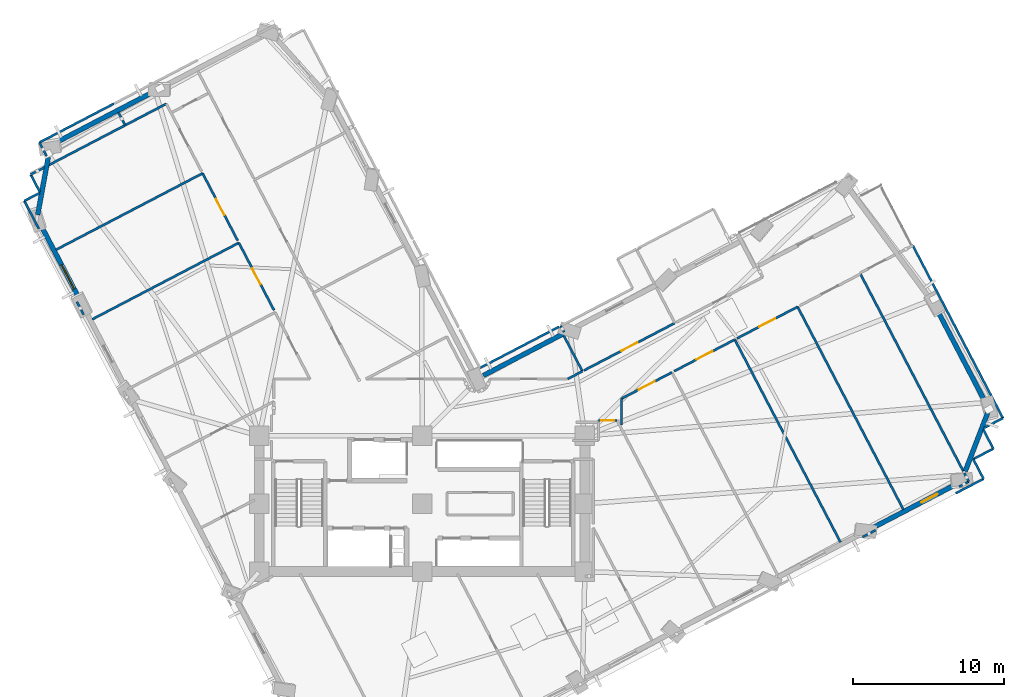
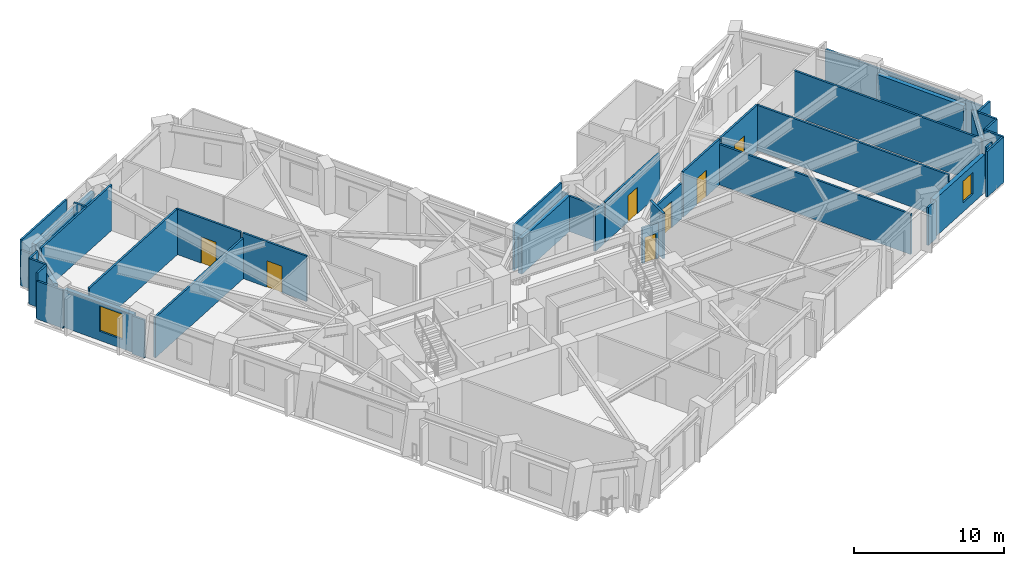
# One storey, part 10 of 16: 42 walls, 7 doors, 2 windows, 9 openings.
"""IFC4 building model written with IfcOpenShell, lengths in metres."""

from ifc_helpers import new_model, si_unit, direction, frame, frame_2d, origin, place, context, subcontext, project, spatial, rectangle, extrude, material, layer, layer_set, type_object, element, fill, save


model = new_model("IFC4")

# Units and contexts
model_context = context("Model", 3, precision=1e-05, world=origin(), true_north=direction((0.0, 1.0)))
body_context = subcontext(model_context, "Body", "Model", "MODEL_VIEW")
ifc_project = project(units=[si_unit("LENGTHUNIT", "METRE"), si_unit("AREAUNIT", "SQUARE_METRE"), si_unit("VOLUMEUNIT", "CUBIC_METRE"), si_unit("PLANEANGLEUNIT", "RADIAN"), si_unit("MASSUNIT", "GRAM", prefix="KILO")], contexts=[model_context])

# Site, building, storey
site_placement = place(None, origin())
site = spatial("IfcSite", under=ifc_project, at=site_placement, CompositionType="ELEMENT")
building_placement = place(site_placement, origin())
building = spatial("IfcBuilding", under=site, at=building_placement, Name="Gaonmaruhae Medical Tower", CompositionType="ELEMENT")
storey_placement = place(building_placement, frame((0.0, 0.0, 140.39990234375)))
storey = spatial("IfcBuildingStorey", under=building, at=storey_placement, Name="L33", CompositionType="ELEMENT", Elevation=140.39990234375)

# Wall, opening, window
ifc_material_1 = material(Name="Precast concrete C45/55", Category="concrete")
ifc_layer_1 = layer(ifc_material_1, 0.320068359375)
ifc_layer_set_1 = layer_set([ifc_layer_1], Name="Precast concrete C45/55")
wall_type_1 = type_object("IfcWallType", Name="EW-320 Lower Precast Masonry-Frame Facade Wall", PredefinedType="SOLIDWALL", material=ifc_layer_set_1)
wall_1_placement = place(storey_placement, frame((60.304443359375, 13.635498046875, 0.0), z_axis=(0.0, 0.0, 1.0), x_axis=(-0.886605766412, -0.462525907344, 0.0)))
wall_1 = element("IfcWall", 1, at=wall_1_placement, inside=storey, type_object=wall_type_1, Name="L33 Precast Masonry-Frame Wall S06-S07", PredefinedType="SOLIDWALL", context=body_context, shape_type="SweptSolid", body=[
    extrude(rectangle(XDim=6.2421875, YDim=0.320068359375, at=frame_2d((3.12109375, 0.0))), origin(), (0.0, 0.0, 1.0), 3.085205078125),
])
opening_1_placement = place(wall_1_placement, frame((1.49755859375, 0.0, 0.75)))
opening_1 = element("IfcOpeningElement", 2, at=opening_1_placement, cuts=wall_1, Name="Opening WN-05", PredefinedType="OPENING", context=body_context, shape_type="SweptSolid", body=[
    extrude(rectangle(XDim=1.199951171875, YDim=1.75, at=frame_2d((0.60009765625, 0.875))), frame((0.0, 0.169921875, 0.0), z_axis=(0.0, -1.0, 0.0), x_axis=(1.0, 0.0, 0.0)), (0.0, 0.0, 1.0), 0.340087890625),
])
ifc_material_2 = material(Name="Anodised aluminium and Low-E double glazing", Category="aluminium")
window_type_1 = type_object("IfcWindowType", Name="WN-05 Support & Staff Punched Window 1200x1750", PartitioningType="SINGLE_PANEL", PredefinedType="WINDOW", material=ifc_material_2)
window_1_placement = place(opening_1_placement, origin())
window_1 = element("IfcWindow", 3, at=window_1_placement, inside=storey, type_object=window_type_1, Name="L33 Modular Facade Window S06", OverallHeight=1.75, OverallWidth=1.199951171875, PartitioningType="SINGLE_PANEL", PredefinedType="WINDOW", context=body_context, shape_type="SweptSolid", body=[
    extrude(rectangle(XDim=1.199951171875, YDim=1.75, at=frame_2d((0.60009765625, 0.875))), frame((0.0, 0.030029296875, 0.0), z_axis=(0.0, -1.0, 0.0), x_axis=(1.0, 0.0, 0.0)), (0.0, 0.0, 1.0), 0.06005859375),
])
fill(opening_1, window_1)

# Walls
wall_2_placement = place(storey_placement, frame((62.309326171875, 18.326904296875, 0.0), z_axis=(0.0, 0.0, 1.0), x_axis=(-0.358387003221, -0.933573112253, 0.0)))
element("IfcWall", 4, at=wall_2_placement, inside=storey, type_object=wall_type_1, Name="L33 Precast Masonry-Frame Wall S07-E01", PredefinedType="SOLIDWALL", context=body_context, shape_type="SweptSolid", body=[
    extrude(rectangle(XDim=4.145263671875, YDim=0.320068359375, at=frame_2d((2.07275390625, 0.0))), origin(), (0.0, 0.0, 1.0), 3.085205078125),
])
wall_3_placement = place(storey_placement, frame((58.930908203125, 25.213623046875, 0.0), z_axis=(0.0, 0.0, 1.0), x_axis=(0.462537951062, -0.886599483322, 0.0)))
element("IfcWall", 5, at=wall_3_placement, inside=storey, type_object=wall_type_1, Name="L33 Precast Masonry-Frame Wall E01-E02", PredefinedType="SOLIDWALL", context=body_context, shape_type="SweptSolid", body=[
    extrude(rectangle(XDim=6.840087890625, YDim=0.320068359375, at=frame_2d((3.419921875, 0.0))), origin(), (0.0, 0.0, 1.0), 3.085205078125),
])
wall_4_placement = place(storey_placement, frame((28.86474609375, 20.80712890625, 0.0), z_axis=(0.0, 0.0, 1.0), x_axis=(0.886610408854, 0.462517008241, 0.0)))
element("IfcWall", 6, at=wall_4_placement, inside=storey, type_object=wall_type_1, Name="L33 Precast Masonry-Frame Wall EN03-KN01", PredefinedType="SOLIDWALL", context=body_context, shape_type="SweptSolid", body=[
    extrude(rectangle(XDim=5.9599609375, YDim=0.320068359375, at=frame_2d((2.97998046875, 0.0))), origin(), (0.0, 0.0, 1.0), 2.885009765625),
])
wall_5_placement = place(storey_placement, frame((0.36669921875, 36.167724609375, 0.0), z_axis=(0.0, 0.0, 1.0), x_axis=(0.886598018627, 0.4625407586, 0.0)))
element("IfcWall", 7, at=wall_5_placement, inside=storey, type_object=wall_type_1, Name="L33 Precast Masonry-Frame Wall N02-N03", PredefinedType="SOLIDWALL", context=body_context, shape_type="SweptSolid", body=[
    extrude(rectangle(XDim=7.270263671875, YDim=0.320068359375, at=frame_2d((3.63525390625, 0.0))), origin(), (0.0, 0.0, 1.0), 3.085205078125),
])
wall_6_placement = place(storey_placement, frame((-0.690673828125, 31.457763671875, 0.0), z_axis=(0.0, 0.0, 1.0), x_axis=(0.180144672385, 0.983640125763, 0.0)))
element("IfcWall", 8, at=wall_6_placement, inside=storey, type_object=wall_type_1, Name="L33 Precast Masonry-Frame Wall N03-W01", PredefinedType="SOLIDWALL", context=body_context, shape_type="SweptSolid", body=[
    extrude(rectangle(XDim=3.8896484375, YDim=0.320068359375, at=frame_2d((1.94482421875, 0.0))), origin(), (0.0, 0.0, 1.0), 3.085205078125),
])

# Wall, opening, window
wall_7_placement = place(storey_placement, frame((2.11572265625, 25.803466796875, 0.0), z_axis=(0.0, 0.0, 1.0), x_axis=(-0.462506359197, 0.886615964046, 0.0)))
wall_7 = element("IfcWall", 9, at=wall_7_placement, inside=storey, type_object=wall_type_1, Name="L33 Precast Masonry-Frame Wall W01-W02", PredefinedType="SOLIDWALL", context=body_context, shape_type="SweptSolid", body=[
    extrude(rectangle(XDim=5.45556640625, YDim=0.320068359375, at=frame_2d((2.727783203125, 0.0))), origin(), (0.0, 0.0, 1.0), 3.085205078125),
])
opening_2_placement = place(wall_7_placement, frame((0.847900390625, 0.0, 0.75)))
opening_2 = element("IfcOpeningElement", 10, at=opening_2_placement, cuts=wall_7, Name="Opening WN-04", PredefinedType="OPENING", context=body_context, shape_type="SweptSolid", body=[
    extrude(rectangle(XDim=1.800048828125, YDim=2.050048828125, at=frame_2d((0.89990234375, 1.02490234375))), frame((0.0, 0.169921875, 0.0), z_axis=(0.0, -1.0, 0.0), x_axis=(1.0, 0.0, 0.0)), (0.0, 0.0, 1.0), 0.340087890625),
])
window_type_2 = type_object("IfcWindowType", Name="WN-04 Clinic & Consult Punched Window 1800x2050", PartitioningType="SINGLE_PANEL", PredefinedType="WINDOW", material=ifc_material_2)
window_2_placement = place(opening_2_placement, origin())
window_2 = element("IfcWindow", 11, at=window_2_placement, inside=storey, type_object=window_type_2, Name="L33 Modular Facade Window W01", OverallHeight=2.050048828125, OverallWidth=1.800048828125, PartitioningType="SINGLE_PANEL", PredefinedType="WINDOW", context=body_context, shape_type="SweptSolid", body=[
    extrude(rectangle(XDim=1.800048828125, YDim=2.050048828125, at=frame_2d((0.89990234375, 1.02490234375))), frame((0.0, 0.030029296875, 0.0), z_axis=(0.0, -1.0, 0.0), x_axis=(1.0, 0.0, 0.0)), (0.0, 0.0, 1.0), 0.06005859375),
])
fill(opening_2, window_2)

# Wall, opening, door
ifc_material_3 = material(Name="Gypsum board partition", Category="gypsum")
ifc_layer_2 = layer(ifc_material_3, 0.14990234375)
ifc_layer_set_2 = layer_set([ifc_layer_2], Name="Gypsum board partition")
wall_type_2 = type_object("IfcWallType", Name="PW-150 Rated Clinical Corridor Partition", PredefinedType="PARTITIONING", material=ifc_layer_set_2)
wall_8_placement = place(storey_placement, frame((36.5, 17.820068359375, 0.0), z_axis=(0.0, 0.0, 1.0), x_axis=(1.0, 0.0, 0.0)))
wall_8 = element("IfcWall", 12, at=wall_8_placement, inside=storey, type_object=wall_type_2, Name="L33 Interior Partition L33-SUP06-17", PredefinedType="PARTITIONING", context=body_context, shape_type="SweptSolid", body=[
    extrude(rectangle(XDim=1.238037109375, YDim=0.14990234375, at=frame_2d((0.619140625, 0.0))), origin(), (0.0, 0.0, 1.0), 2.885009765625),
])
opening_3_placement = place(wall_8_placement, frame((0.18896484375, 0.0, 0.0)))
opening_3 = element("IfcOpeningElement", 13, at=opening_3_placement, cuts=wall_8, Name="Opening AD-01", PredefinedType="OPENING", context=body_context, shape_type="SweptSolid", body=[
    extrude(rectangle(XDim=0.860107421875, YDim=2.06005859375, at=frame_2d((0.43017578125, 1.030029296875))), frame((0.0, 0.0849609375, 0.0), z_axis=(0.0, -1.0, 0.0), x_axis=(1.0, 0.0, 0.0)), (0.0, 0.0, 1.0), 0.169921875),
])
ifc_material_4 = material(Name="Powder-coated steel access door", Category="steel")
door_type_1 = type_object("IfcDoorType", Name="AD-01 Riser & Closet Access Fire Door 860x2060", OperationType="NOTDEFINED", PredefinedType="DOOR", material=ifc_material_4)
door_1_placement = place(opening_3_placement, origin())
door_1 = element("IfcDoor", 14, at=door_1_placement, inside=storey, type_object=door_type_1, Name="L33 Clinical Biomedical Charting Office Door", OperationType="SINGLE_SWING_RIGHT", OverallHeight=2.06005859375, OverallWidth=0.860107421875, PredefinedType="DOOR", context=body_context, shape_type="SweptSolid", body=[
    extrude(rectangle(XDim=0.860107421875, YDim=2.06005859375, at=frame_2d((0.43017578125, 1.030029296875))), frame((0.0, 0.02490234375, 0.0), z_axis=(0.0, -1.0, 0.0), x_axis=(1.0, 0.0, 0.0)), (0.0, 0.0, 1.0), 0.050048828125),
])
fill(opening_3, door_1)

# Wall
wall_9_placement = place(storey_placement, frame((38.030029296875, 17.531005859375, 0.0), z_axis=(0.0, 0.0, 1.0), x_axis=(0.0, 1.0, 0.0)))
element("IfcWall", 15, at=wall_9_placement, inside=storey, type_object=wall_type_2, Name="L33 Interior Partition L33-SUP07-22", PredefinedType="PARTITIONING", context=body_context, shape_type="SweptSolid", body=[
    extrude(rectangle(XDim=1.740966796875, YDim=0.14990234375, at=frame_2d((0.87060546875, 0.0))), origin(), (0.0, 0.0, 1.0), 3.7001953125),
])

# Wall, opening, door
wall_10_placement = place(storey_placement, frame((38.030029296875, 19.27197265625, 0.0), z_axis=(0.0, 0.0, 1.0), x_axis=(0.886666832125, 0.462408832971, 0.0)))
wall_10 = element("IfcWall", 16, at=wall_10_placement, inside=storey, type_object=wall_type_2, Name="L33 Interior Partition L33-SUP07-23", PredefinedType="PARTITIONING", context=body_context, shape_type="SweptSolid", body=[
    extrude(rectangle(XDim=3.769287109375, YDim=0.14990234375, at=frame_2d((1.884765625, 0.0))), origin(), (0.0, 0.0, 1.0), 2.885009765625),
])
opening_4_placement = place(wall_10_placement, frame((1.28466796875, 0.0, 0.0)))
opening_4 = element("IfcOpeningElement", 17, at=opening_4_placement, cuts=wall_10, Name="Opening CD-02", PredefinedType="OPENING", context=body_context, shape_type="SweptSolid", body=[
    extrude(rectangle(XDim=1.199951171875, YDim=2.14990234375, at=frame_2d((0.60009765625, 1.074951171875))), frame((0.0, 0.0849609375, 0.0), z_axis=(0.0, -1.0, 0.0), x_axis=(1.0, 0.0, 0.0)), (0.0, 0.0, 1.0), 0.169921875),
])
ifc_material_5 = material(Name="Antimicrobial laminate timber fire door", Category="wood")
door_type_2 = type_object("IfcDoorType", Name="CD-02 Clinical Treatment & Procedure Door 1200x2150", OperationType="NOTDEFINED", PredefinedType="DOOR", material=ifc_material_5)
door_2_placement = place(opening_4_placement, origin())
door_2 = element("IfcDoor", 18, at=door_2_placement, inside=storey, type_object=door_type_2, Name="L33 Clinical Biomedical Charting Office Door", OperationType="SINGLE_SWING_RIGHT", OverallHeight=2.14990234375, OverallWidth=1.199951171875, PredefinedType="DOOR", context=body_context, shape_type="SweptSolid", body=[
    extrude(rectangle(XDim=1.199951171875, YDim=2.14990234375, at=frame_2d((0.60009765625, 1.074951171875))), frame((0.0, 0.02490234375, 0.0), z_axis=(0.0, -1.0, 0.0), x_axis=(1.0, 0.0, 0.0)), (0.0, 0.0, 1.0), 0.050048828125),
])
fill(opening_4, door_2)

wall_11_placement = place(storey_placement, frame((41.513916015625, 21.089111328125, 0.0), z_axis=(0.0, 0.0, 1.0), x_axis=(0.886604981363, 0.462527412185, 0.0)))
wall_11 = element("IfcWall", 19, at=wall_11_placement, inside=storey, type_object=wall_type_2, Name="L33 Interior Partition L33-SUP08-26", PredefinedType="PARTITIONING", context=body_context, shape_type="SweptSolid", body=[
    extrude(rectangle(XDim=4.5400390625, YDim=0.14990234375, at=frame_2d((2.27001953125, 0.0))), origin(), (0.0, 0.0, 1.0), 3.7001953125),
])
opening_5_placement = place(wall_11_placement, frame((1.669921875, 0.0, 0.0)))
opening_5 = element("IfcOpeningElement", 20, at=opening_5_placement, cuts=wall_11, Name="Opening CD-02", PredefinedType="OPENING", context=body_context, shape_type="SweptSolid", body=[
    extrude(rectangle(XDim=1.199951171875, YDim=2.14990234375, at=frame_2d((0.60009765625, 1.074951171875))), frame((0.0, 0.0849609375, 0.0), z_axis=(0.0, -1.0, 0.0), x_axis=(1.0, 0.0, 0.0)), (0.0, 0.0, 1.0), 0.169921875),
])
door_3_placement = place(opening_5_placement, origin())
door_3 = element("IfcDoor", 21, at=door_3_placement, inside=storey, type_object=door_type_2, Name="L33 Clinical Biomedical Charting Office Door", OperationType="SINGLE_SWING_LEFT", OverallHeight=2.14990234375, OverallWidth=1.199951171875, PredefinedType="DOOR", context=body_context, shape_type="SweptSolid", body=[
    extrude(rectangle(XDim=1.199951171875, YDim=2.14990234375, at=frame_2d((0.60009765625, 1.074951171875))), frame((0.0, 0.02490234375, 0.0), z_axis=(0.0, -1.0, 0.0), x_axis=(1.0, 0.0, 0.0)), (0.0, 0.0, 1.0), 0.050048828125),
])
fill(opening_5, door_3)

# Wall
wall_12_placement = place(storey_placement, frame((45.5390625, 23.18896484375, 0.0), z_axis=(0.0, 0.0, 1.0), x_axis=(0.462519238892, -0.886609245189, 0.0)))
element("IfcWall", 22, at=wall_12_placement, inside=storey, type_object=wall_type_2, Name="L33 Interior Partition L33-SUP08-27", PredefinedType="PARTITIONING", context=body_context, shape_type="SweptSolid", body=[
    extrude(rectangle(XDim=15.16455078125, YDim=0.14990234375, at=frame_2d((7.582275390625, 0.0))), origin(), (0.0, 0.0, 1.0), 3.28515625),
])

# Wall, opening, door
wall_13_placement = place(storey_placement, frame((45.680908203125, 23.262939453125, 0.0), z_axis=(0.0, 0.0, 1.0), x_axis=(0.886582928488, 0.462569682225, 0.0)))
wall_13 = element("IfcWall", 23, at=wall_13_placement, inside=storey, type_object=wall_type_2, Name="L33 Interior Partition L33-SUP09-28", PredefinedType="PARTITIONING", context=body_context, shape_type="SweptSolid", body=[
    extrude(rectangle(XDim=4.5400390625, YDim=0.14990234375, at=frame_2d((2.27001953125, 0.0))), origin(), (0.0, 0.0, 1.0), 3.7001953125),
])
opening_6_placement = place(wall_13_placement, frame((1.669921875, 0.0, 0.0)))
opening_6 = element("IfcOpeningElement", 24, at=opening_6_placement, cuts=wall_13, Name="Opening CD-02", PredefinedType="OPENING", context=body_context, shape_type="SweptSolid", body=[
    extrude(rectangle(XDim=1.199951171875, YDim=2.14990234375, at=frame_2d((0.60009765625, 1.074951171875))), frame((0.0, 0.0849609375, 0.0), z_axis=(0.0, -1.0, 0.0), x_axis=(1.0, 0.0, 0.0)), (0.0, 0.0, 1.0), 0.169921875),
])
door_4_placement = place(opening_6_placement, origin())
door_4 = element("IfcDoor", 25, at=door_4_placement, inside=storey, type_object=door_type_2, Name="L33 Clinical Biomedical Charting Office Door", OperationType="SINGLE_SWING_RIGHT", OverallHeight=2.14990234375, OverallWidth=1.199951171875, PredefinedType="DOOR", context=body_context, shape_type="SweptSolid", body=[
    extrude(rectangle(XDim=1.199951171875, YDim=2.14990234375, at=frame_2d((0.60009765625, 1.074951171875))), frame((0.0, 0.02490234375, 0.0), z_axis=(0.0, -1.0, 0.0), x_axis=(1.0, 0.0, 0.0)), (0.0, 0.0, 1.0), 0.050048828125),
])
fill(opening_6, door_4)

# Walls
wall_14_placement = place(storey_placement, frame((49.7060546875, 25.363037109375, 0.0), z_axis=(0.0, 0.0, 1.0), x_axis=(0.462519238892, -0.886609245189, 0.0)))
element("IfcWall", 26, at=wall_14_placement, inside=storey, type_object=wall_type_2, Name="L33 Interior Partition L33-SUP09-29", PredefinedType="PARTITIONING", context=body_context, shape_type="SweptSolid", body=[
    extrude(rectangle(XDim=15.16455078125, YDim=0.14990234375, at=frame_2d((7.582275390625, 0.0))), origin(), (0.0, 0.0, 1.0), 3.7001953125),
])
wall_15_placement = place(storey_placement, frame((54.8759765625, 10.5439453125, 0.0), z_axis=(0.0, 0.0, 1.0), x_axis=(-0.886508731407, -0.462711864057, 0.0)))
element("IfcWall", 27, at=wall_15_placement, inside=storey, type_object=wall_type_2, Name="L33 Interior Partition L33-SUP09-30", PredefinedType="PARTITIONING", context=body_context, shape_type="SweptSolid", body=[
    extrude(rectangle(XDim=0.972412109375, YDim=0.14990234375, at=frame_2d((0.486328125, 0.0))), origin(), (0.0, 0.0, 1.0), 3.085205078125),
])
wall_16_placement = place(storey_placement, frame((53.873046875, 27.537109375, 0.0), z_axis=(0.0, 0.0, 1.0), x_axis=(0.462553551442, -0.886591344447, 0.0)))
element("IfcWall", 28, at=wall_16_placement, inside=storey, type_object=wall_type_2, Name="L33 Interior Partition L33-SUP10-32", PredefinedType="PARTITIONING", context=body_context, shape_type="SweptSolid", body=[
    extrude(rectangle(XDim=14.737548828125, YDim=0.14990234375, at=frame_2d((7.36865234375, 0.0))), origin(), (0.0, 0.0, 1.0), 3.7001953125),
])
wall_17_placement = place(storey_placement, frame((60.758056640625, 14.339111328125, 0.0), z_axis=(0.0, 0.0, 1.0), x_axis=(0.462462365463, -0.886638912145, 0.0)))
element("IfcWall", 29, at=wall_17_placement, inside=storey, type_object=wall_type_2, Name="L33 Interior Partition L33-SUP10-33", PredefinedType="PARTITIONING", context=body_context, shape_type="SweptSolid", body=[
    extrude(rectangle(XDim=0.64404296875, YDim=0.14990234375, at=frame_2d((0.322021484375, 0.0))), origin(), (0.0, 0.0, 1.0), 3.7001953125),
])
wall_18_placement = place(storey_placement, frame((61.055908203125, 13.76806640625, 0.0), z_axis=(0.0, 0.0, 1.0), x_axis=(-0.886231703608, -0.463242234172, 0.0)))
element("IfcWall", 30, at=wall_18_placement, inside=storey, type_object=wall_type_2, Name="L33 Interior Partition L33-SUP10-34", PredefinedType="PARTITIONING", context=body_context, shape_type="SweptSolid", body=[
    extrude(rectangle(XDim=0.727783203125, YDim=0.14990234375, at=frame_2d((0.36376953125, 0.0))), origin(), (0.0, 0.0, 1.0), 3.7001953125),
])
wall_19_placement = place(storey_placement, frame((2.929931640625, 24.533935546875, 0.0), z_axis=(0.0, 0.0, 1.0), x_axis=(0.886600327973, 0.462536332019, 0.0)))
element("IfcWall", 31, at=wall_19_placement, inside=storey, type_object=wall_type_2, Name="L33 Interior Partition L33-WOF14-49", PredefinedType="PARTITIONING", context=body_context, shape_type="SweptSolid", body=[
    extrude(rectangle(XDim=10.965576171875, YDim=0.14990234375, at=frame_2d((5.48291015625, 0.0))), origin(), (0.0, 0.0, 1.0), 3.28515625),
])

# Wall, opening, door
wall_20_placement = place(storey_placement, frame((12.652099609375, 29.60595703125, 0.0), z_axis=(0.0, 0.0, 1.0), x_axis=(0.462435226927, -0.886653066817, 0.0)))
wall_20 = element("IfcWall", 32, at=wall_20_placement, inside=storey, type_object=wall_type_2, Name="L33 Interior Partition L33-WOF14-50", PredefinedType="PARTITIONING", context=body_context, shape_type="SweptSolid", body=[
    extrude(rectangle(XDim=5.040283203125, YDim=0.14990234375, at=frame_2d((2.52001953125, 0.0))), origin(), (0.0, 0.0, 1.0), 3.7001953125),
])
opening_7_placement = place(wall_20_placement, frame((1.920166015625, 0.0, 0.0)))
opening_7 = element("IfcOpeningElement", 33, at=opening_7_placement, cuts=wall_20, Name="Opening CD-02", PredefinedType="OPENING", context=body_context, shape_type="SweptSolid", body=[
    extrude(rectangle(XDim=1.199951171875, YDim=2.14990234375, at=frame_2d((0.60009765625, 1.074951171875))), frame((0.0, 0.0849609375, 0.0), z_axis=(0.0, -1.0, 0.0), x_axis=(1.0, 0.0, 0.0)), (0.0, 0.0, 1.0), 0.169921875),
])
door_5_placement = place(opening_7_placement, origin())
door_5 = element("IfcDoor", 34, at=door_5_placement, inside=storey, type_object=door_type_2, Name="L33 Ward Physician Reporting Office Door", OperationType="SINGLE_SWING_RIGHT", OverallHeight=2.14990234375, OverallWidth=1.199951171875, PredefinedType="DOOR", context=body_context, shape_type="SweptSolid", body=[
    extrude(rectangle(XDim=1.199951171875, YDim=2.14990234375, at=frame_2d((0.60009765625, 1.074951171875))), frame((0.0, 0.02490234375, 0.0), z_axis=(0.0, -1.0, 0.0), x_axis=(1.0, 0.0, 0.0)), (0.0, 0.0, 1.0), 0.050048828125),
])
fill(opening_7, door_5)

# Wall
wall_21_placement = place(storey_placement, frame((0.52490234375, 29.14501953125, 0.0), z_axis=(0.0, 0.0, 1.0), x_axis=(0.886636847368, 0.462466324059, 0.0)))
element("IfcWall", 35, at=wall_21_placement, inside=storey, type_object=wall_type_2, Name="L33 Interior Partition L33-WOF15-51", PredefinedType="PARTITIONING", context=body_context, shape_type="SweptSolid", body=[
    extrude(rectangle(XDim=10.96533203125, YDim=0.14990234375, at=frame_2d((5.482666015625, 0.0))), origin(), (0.0, 0.0, 1.0), 3.7001953125),
])

# Wall, opening, door
wall_22_placement = place(storey_placement, frame((10.2470703125, 34.216064453125, 0.0), z_axis=(0.0, 0.0, 1.0), x_axis=(0.462514680435, -0.886611623194, 0.0)))
wall_22 = element("IfcWall", 36, at=wall_22_placement, inside=storey, type_object=wall_type_2, Name="L33 Interior Partition L33-WOF15-52", PredefinedType="PARTITIONING", context=body_context, shape_type="SweptSolid", body=[
    extrude(rectangle(XDim=5.03955078125, YDim=0.14990234375, at=frame_2d((2.519775390625, 0.0))), origin(), (0.0, 0.0, 1.0), 3.7001953125),
])
opening_8_placement = place(wall_22_placement, frame((1.919921875, 0.0, 0.0)))
opening_8 = element("IfcOpeningElement", 37, at=opening_8_placement, cuts=wall_22, Name="Opening CD-02", PredefinedType="OPENING", context=body_context, shape_type="SweptSolid", body=[
    extrude(rectangle(XDim=1.199951171875, YDim=2.14990234375, at=frame_2d((0.60009765625, 1.074951171875))), frame((0.0, 0.0849609375, 0.0), z_axis=(0.0, -1.0, 0.0), x_axis=(1.0, 0.0, 0.0)), (0.0, 0.0, 1.0), 0.169921875),
])
door_6_placement = place(opening_8_placement, origin())
door_6 = element("IfcDoor", 38, at=door_6_placement, inside=storey, type_object=door_type_2, Name="L33 Ward Physician Reporting Office Door", OperationType="SINGLE_SWING_RIGHT", OverallHeight=2.14990234375, OverallWidth=1.199951171875, PredefinedType="DOOR", context=body_context, shape_type="SweptSolid", body=[
    extrude(rectangle(XDim=1.199951171875, YDim=2.14990234375, at=frame_2d((0.60009765625, 1.074951171875))), frame((0.0, 0.02490234375, 0.0), z_axis=(0.0, -1.0, 0.0), x_axis=(1.0, 0.0, 0.0)), (0.0, 0.0, 1.0), 0.050048828125),
])
fill(opening_8, door_6)

# Walls
wall_23_placement = place(storey_placement, frame((2.35693359375, 24.844970703125, 0.0), z_axis=(0.0, 0.0, 1.0), x_axis=(-0.462791687413, 0.886467063157, 0.0)))
element("IfcWall", 39, at=wall_23_placement, inside=storey, type_object=wall_type_2, Name="L33 Interior Partition L33-WOF15-53", PredefinedType="PARTITIONING", context=body_context, shape_type="SweptSolid", body=[
    extrude(rectangle(XDim=0.961181640625, YDim=0.14990234375, at=frame_2d((0.48046875, 0.0))), origin(), (0.0, 0.0, 1.0), 3.085205078125),
])
wall_24_placement = place(storey_placement, frame((-1.157958984375, 34.132080078125, 0.0), z_axis=(0.0, 0.0, 1.0), x_axis=(0.886503902607, 0.462721115427, 0.0)))
element("IfcWall", 40, at=wall_24_placement, inside=storey, type_object=wall_type_2, Name="L33 Interior Partition L33-WOF16-54", PredefinedType="PARTITIONING", context=body_context, shape_type="SweptSolid", body=[
    extrude(rectangle(XDim=1.02197265625, YDim=0.14990234375, at=frame_2d((0.510986328125, 0.0))), origin(), (0.0, 0.0, 1.0), 3.7001953125),
])
wall_25_placement = place(storey_placement, frame((0.052001953125, 34.762939453125, 0.0), z_axis=(0.0, 0.0, 1.0), x_axis=(0.88660367237, 0.462529921345, 0.0)))
element("IfcWall", 41, at=wall_25_placement, inside=storey, type_object=wall_type_2, Name="L33 Interior Partition L33-WOF16-55", PredefinedType="PARTITIONING", context=body_context, shape_type="SweptSolid", body=[
    extrude(rectangle(XDim=8.786376953125, YDim=0.14990234375, at=frame_2d((4.39306640625, 0.0))), origin(), (0.0, 0.0, 1.0), 3.7001953125),
])
wall_26_placement = place(storey_placement, frame((-0.612060546875, 30.533935546875, 0.0), z_axis=(0.0, 0.0, 1.0), x_axis=(-0.462274822208, 0.886736707683, 0.0)))
element("IfcWall", 42, at=wall_26_placement, inside=storey, type_object=wall_type_2, Name="L33 Interior Partition L33-WOF16-57", PredefinedType="PARTITIONING", context=body_context, shape_type="SweptSolid", body=[
    extrude(rectangle(XDim=2.091796875, YDim=0.14990234375, at=frame_2d((1.0458984375, 0.0))), origin(), (0.0, 0.0, 1.0), 3.085205078125),
])
wall_27_placement = place(storey_placement, frame((-1.5791015625, 32.388916015625, 0.0), z_axis=(0.0, 0.0, 1.0), x_axis=(0.886475001991, 0.462776480436, 0.0)))
element("IfcWall", 43, at=wall_27_placement, inside=storey, type_object=wall_type_2, Name="L33 Interior Partition L33-WOF16-58", PredefinedType="PARTITIONING", context=body_context, shape_type="SweptSolid", body=[
    extrude(rectangle(XDim=1.149658203125, YDim=0.14990234375, at=frame_2d((0.57470703125, 0.0))), origin(), (0.0, 0.0, 1.0), 3.7001953125),
])
wall_28_placement = place(storey_placement, frame((-0.551025390625, 32.969970703125, 0.0), z_axis=(0.0, 0.0, 1.0), x_axis=(-0.462935079939, 0.886392188459, 0.0)))
element("IfcWall", 44, at=wall_28_placement, inside=storey, type_object=wall_type_2, Name="L33 Interior Partition L33-WOF16-59", PredefinedType="PARTITIONING", context=body_context, shape_type="SweptSolid", body=[
    extrude(rectangle(XDim=1.31103515625, YDim=0.14990234375, at=frame_2d((0.655517578125, 0.0))), origin(), (0.0, 0.0, 1.0), 3.7001953125),
])
wall_29_placement = place(storey_placement, frame((28.64990234375, 21.31591796875, 0.0), z_axis=(0.0, 0.0, 1.0), x_axis=(0.886634210414, 0.462471379573, 0.0)))
element("IfcWall", 45, at=wall_29_placement, inside=storey, type_object=wall_type_2, Name="L33 Interior Partition L33-IE02-68", PredefinedType="PARTITIONING", context=body_context, shape_type="SweptSolid", body=[
    extrude(rectangle(XDim=5.90771484375, YDim=0.14990234375, at=frame_2d((2.953857421875, 0.0))), origin(), (0.0, 0.0, 1.0), 3.7001953125),
])
wall_30_placement = place(storey_placement, frame((34.205078125, 23.44091796875, 0.0), z_axis=(0.0, 0.0, 1.0), x_axis=(0.462522010932, -0.886607799088, 0.0)))
element("IfcWall", 46, at=wall_30_placement, inside=storey, type_object=wall_type_2, Name="L33 Interior Partition L33-IE02-69", PredefinedType="PARTITIONING", context=body_context, shape_type="SweptSolid", body=[
    extrude(rectangle(XDim=2.655029296875, YDim=0.14990234375, at=frame_2d((1.32763671875, 0.0))), origin(), (0.0, 0.0, 1.0), 2.885009765625),
])
wall_31_placement = place(storey_placement, frame((35.43310546875, 21.0869140625, 0.0), z_axis=(0.0, 0.0, 1.0), x_axis=(-0.886537156696, -0.462657400025, 0.0)))
element("IfcWall", 47, at=wall_31_placement, inside=storey, type_object=wall_type_2, Name="L33 Interior Partition L33-IE02-70", PredefinedType="PARTITIONING", context=body_context, shape_type="SweptSolid", body=[
    extrude(rectangle(XDim=1.095458984375, YDim=0.14990234375, at=frame_2d((0.5478515625, 0.0))), origin(), (0.0, 0.0, 1.0), 3.28515625),
])

# Wall, opening, door
wall_32_placement = place(storey_placement, frame((41.56494140625, 24.285888671875, 0.0), z_axis=(0.0, 0.0, 1.0), x_axis=(-0.886562425228, -0.462608977618, 0.0)))
wall_32 = element("IfcWall", 48, at=wall_32_placement, inside=storey, type_object=wall_type_2, Name="L33 Interior Partition L33-IE03-75", PredefinedType="PARTITIONING", context=body_context, shape_type="SweptSolid", body=[
    extrude(rectangle(XDim=6.7958984375, YDim=0.14990234375, at=frame_2d((3.39794921875, 0.0))), origin(), (0.0, 0.0, 1.0), 3.28515625),
])
opening_9_placement = place(wall_32_placement, frame((2.798095703125, 0.0, 0.0)))
opening_9 = element("IfcOpeningElement", 49, at=opening_9_placement, cuts=wall_32, Name="Opening CD-02", PredefinedType="OPENING", context=body_context, shape_type="SweptSolid", body=[
    extrude(rectangle(XDim=1.199951171875, YDim=2.14990234375, at=frame_2d((0.60009765625, 1.074951171875))), frame((0.0, 0.0849609375, 0.0), z_axis=(0.0, -1.0, 0.0), x_axis=(1.0, 0.0, 0.0)), (0.0, 0.0, 1.0), 0.169921875),
])
door_7_placement = place(opening_9_placement, origin())
door_7 = element("IfcDoor", 50, at=door_7_placement, inside=storey, type_object=door_type_2, Name="L33 Clean Medication Preparation Room Door", OperationType="SINGLE_SWING_LEFT", OverallHeight=2.14990234375, OverallWidth=1.199951171875, PredefinedType="DOOR", context=body_context, shape_type="SweptSolid", body=[
    extrude(rectangle(XDim=1.199951171875, YDim=2.14990234375, at=frame_2d((0.60009765625, 1.074951171875))), frame((0.0, 0.02490234375, 0.0), z_axis=(0.0, -1.0, 0.0), x_axis=(1.0, 0.0, 0.0)), (0.0, 0.0, 1.0), 0.050048828125),
])
fill(opening_9, door_7)

# Walls
wall_33_placement = place(storey_placement, frame((34.216064453125, 23.680908203125, 0.0), z_axis=(0.0, 0.0, 1.0), x_axis=(-0.46289810048, 0.886411500699, 0.0)))
element("IfcWall", 51, at=wall_33_placement, inside=storey, type_object=wall_type_2, Name="L33 Interior Partition L33-IE03-76", PredefinedType="PARTITIONING", context=body_context, shape_type="SweptSolid", body=[
    extrude(rectangle(XDim=0.477294921875, YDim=0.14990234375, at=frame_2d((0.23876953125, 0.0))), origin(), (0.0, 0.0, 1.0), 2.885009765625),
])
wall_34_placement = place(storey_placement, frame((4.6650390625, 38.258056640625, 0.0), z_axis=(0.0, 0.0, 1.0), x_axis=(0.462336486669, -0.886704557953, 0.0)))
element("IfcWall", 52, at=wall_34_placement, inside=storey, type_object=wall_type_2, Name="L33 Interior Partition L33-RM01-96", PredefinedType="PARTITIONING", context=body_context, shape_type="SweptSolid", body=[
    extrude(rectangle(XDim=0.9453125, YDim=0.14990234375, at=frame_2d((0.47265625, 0.0))), origin(), (0.0, 0.0, 1.0), 3.7001953125),
])
wall_35_placement = place(storey_placement, frame((-0.10400390625, 35.35595703125, 0.0), z_axis=(0.0, 0.0, 1.0), x_axis=(-0.462721115427, 0.886503902607, 0.0)))
element("IfcWall", 53, at=wall_35_placement, inside=storey, type_object=wall_type_2, Name="L33 Interior Partition L33-RM01-97", PredefinedType="PARTITIONING", context=body_context, shape_type="SweptSolid", body=[
    extrude(rectangle(XDim=1.02197265625, YDim=0.14990234375, at=frame_2d((0.510986328125, 0.0))), origin(), (0.0, 0.0, 1.0), 2.885009765625),
])
wall_36_placement = place(storey_placement, frame((-0.576904296875, 36.261962890625, 0.0), z_axis=(0.0, 0.0, 1.0), x_axis=(0.886652826293, 0.462435688098, 0.0)))
element("IfcWall", 54, at=wall_36_placement, inside=storey, type_object=wall_type_2, Name="L33 Interior Partition L33-RM01-98", PredefinedType="PARTITIONING", context=body_context, shape_type="SweptSolid", body=[
    extrude(rectangle(XDim=5.5703125, YDim=0.14990234375, at=frame_2d((2.78515625, 0.0))), origin(), (0.0, 0.0, 1.0), 3.7001953125),
])
wall_37_placement = place(storey_placement, frame((62.029052734375, 17.219970703125, 0.0), z_axis=(0.0, 0.0, 1.0), x_axis=(0.462711826068, -0.886508751235, 0.0)))
element("IfcWall", 55, at=wall_37_placement, inside=storey, type_object=wall_type_2, Name="L33 Interior Partition L33-RM05-103", PredefinedType="PARTITIONING", context=body_context, shape_type="SweptSolid", body=[
    extrude(rectangle(XDim=1.430419921875, YDim=0.14990234375, at=frame_2d((0.71533203125, 0.0))), origin(), (0.0, 0.0, 1.0), 3.7001953125),
])
wall_38_placement = place(storey_placement, frame((62.69091796875, 15.951904296875, 0.0), z_axis=(0.0, 0.0, 1.0), x_axis=(-0.88657904171, -0.462577131731, 0.0)))
element("IfcWall", 56, at=wall_38_placement, inside=storey, type_object=wall_type_2, Name="L33 Interior Partition L33-RM05-104", PredefinedType="PARTITIONING", context=body_context, shape_type="SweptSolid", body=[
    extrude(rectangle(XDim=1.5, YDim=0.14990234375, at=frame_2d((0.75, 0.0))), origin(), (0.0, 0.0, 1.0), 3.7001953125),
])
wall_39_placement = place(storey_placement, frame((61.361083984375, 15.258056640625, 0.0), z_axis=(0.0, 0.0, 1.0), x_axis=(0.462628452694, -0.886552262846, 0.0)))
element("IfcWall", 57, at=wall_39_placement, inside=storey, type_object=wall_type_2, Name="L33 Interior Partition L33-RM05-105", PredefinedType="PARTITIONING", context=body_context, shape_type="SweptSolid", body=[
    extrude(rectangle(XDim=1.4697265625, YDim=0.14990234375, at=frame_2d((0.73486328125, 0.0))), origin(), (0.0, 0.0, 1.0), 3.7001953125),
])
wall_40_placement = place(storey_placement, frame((62.041015625, 13.955078125, 0.0), z_axis=(0.0, 0.0, 1.0), x_axis=(-0.886458633583, -0.462807833712, 0.0)))
element("IfcWall", 58, at=wall_40_placement, inside=storey, type_object=wall_type_2, Name="L33 Interior Partition L33-RM05-106", PredefinedType="PARTITIONING", context=body_context, shape_type="SweptSolid", body=[
    extrude(rectangle(XDim=2.070068359375, YDim=0.14990234375, at=frame_2d((1.03515625, 0.0))), origin(), (0.0, 0.0, 1.0), 3.7001953125),
])
wall_41_placement = place(storey_placement, frame((57.35107421875, 29.430908203125, 0.0), z_axis=(0.0, 0.0, 1.0), x_axis=(0.462529196061, -0.886604050741, 0.0)))
element("IfcWall", 59, at=wall_41_placement, inside=storey, type_object=wall_type_2, Name="L33 Interior Partition L33-RM05-109", PredefinedType="PARTITIONING", context=body_context, shape_type="SweptSolid", body=[
    extrude(rectangle(XDim=12.919921875, YDim=0.14990234375, at=frame_2d((6.4599609375, 0.0))), origin(), (0.0, 0.0, 1.0), 3.085205078125),
])
wall_42_placement = place(storey_placement, frame((63.326904296875, 17.97607421875, 0.0), z_axis=(0.0, 0.0, 1.0), x_axis=(-0.886422480211, -0.462877075018, 0.0)))
element("IfcWall", 60, at=wall_42_placement, inside=storey, type_object=wall_type_2, Name="L33 Interior Partition L33-RM05-110", PredefinedType="PARTITIONING", context=body_context, shape_type="SweptSolid", body=[
    extrude(rectangle(XDim=1.42138671875, YDim=0.14990234375, at=frame_2d((0.710693359375, 0.0))), origin(), (0.0, 0.0, 1.0), 3.7001953125),
])

save(model, "model.ifc")
